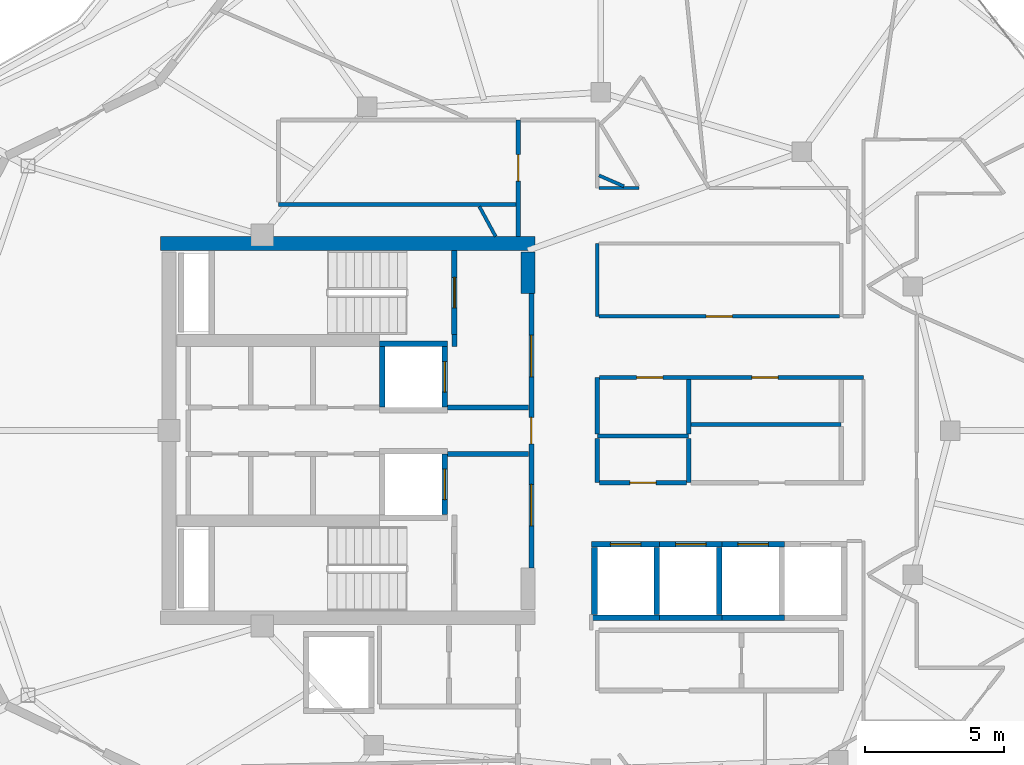
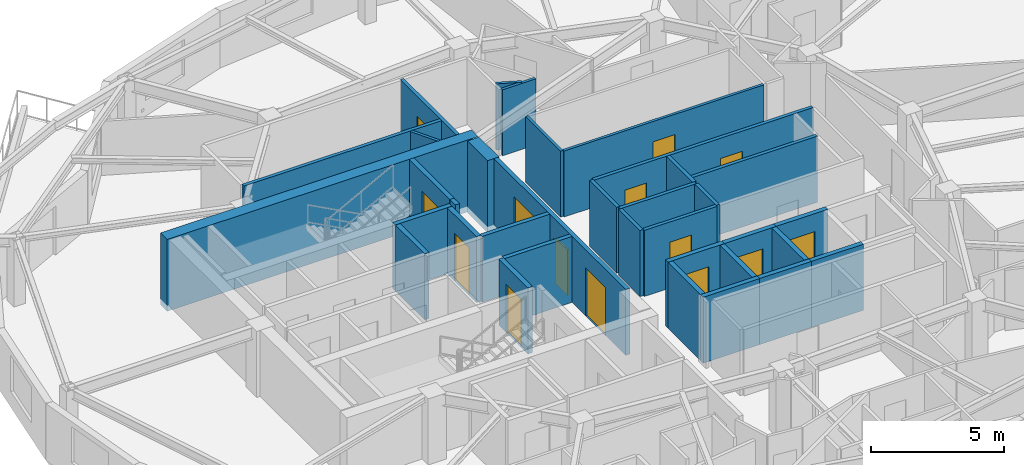
# One storey, part 8 of 14: 35 walls, 14 doors, 14 openings.
"""IFC4 building model written with IfcOpenShell, lengths in metres."""

from ifc_helpers import new_model, si_unit, direction, frame, frame_2d, origin, place, context, subcontext, project, spatial, rectangle, extrude, material, layer, layer_set, type_object, element, fill, save


model = new_model("IFC4")

# Units and contexts
model_context = context("Model", 3, precision=1e-05, world=origin(), true_north=direction((0.0, 1.0)))
body_context = subcontext(model_context, "Body", "Model", "MODEL_VIEW")
ifc_project = project(units=[si_unit("LENGTHUNIT", "METRE"), si_unit("AREAUNIT", "SQUARE_METRE"), si_unit("VOLUMEUNIT", "CUBIC_METRE"), si_unit("PLANEANGLEUNIT", "RADIAN"), si_unit("MASSUNIT", "GRAM", prefix="KILO")], contexts=[model_context])

# Site, building, storey
site_placement = place(None, origin())
site = spatial("IfcSite", under=ifc_project, at=site_placement, CompositionType="ELEMENT")
building_placement = place(site_placement, origin())
building = spatial("IfcBuilding", under=site, at=building_placement, Name="Kolvaren Gate Tower and Convention Centre", CompositionType="ELEMENT")
storey_placement = place(building_placement, frame((0.0, 0.0, 232.699951171875)))
storey = spatial("IfcBuildingStorey", under=building, at=storey_placement, Name="L62", CompositionType="ELEMENT", Elevation=232.699951171875)

# Wall
ifc_material_1 = material(Name="Autoclaved Aerated Masonry Blockwork Class 4 (4.0 MPa)", Category="masonry")
ifc_layer_1 = layer(ifc_material_1, 0.179931640625)
ifc_layer_set_1 = layer_set([ifc_layer_1], Name="Autoclaved Aerated Masonry Blockwork Class 4 (4.0 MPa)")
wall_type_1 = type_object("IfcWallType", Name="ARCH-WL-COMP-180", PredefinedType="SOLIDWALL", material=ifc_layer_set_1)
wall_1_placement = place(storey_placement, frame((24.85009765625, 30.0400390625, 0.0), z_axis=(0.0, 0.0, 1.0), x_axis=(0.0, 1.0, 0.0)))
element("IfcWall", 1, at=wall_1_placement, inside=storey, type_object=wall_type_1, Name="Interior Partition WL-L62-INT-002", PredefinedType="SOLIDWALL", context=body_context, shape_type="SweptSolid", body=[
    extrude(rectangle(XDim=0.419921875, YDim=0.179931640625, at=frame_2d((0.2099609375, 0.0))), origin(), (0.0, 0.0, 1.0), 3.030029296875),
])

# Wall, openings, doors
wall_2_placement = place(storey_placement, frame((27.6201171875, 22.050048828125, 0.0), z_axis=(0.0, 0.0, 1.0), x_axis=(0.0, 1.0, 0.0)))
wall_2 = element("IfcWall", 2, at=wall_2_placement, inside=storey, type_object=wall_type_1, Name="Interior Partition WL-L62-INT-003", PredefinedType="SOLIDWALL", context=body_context, shape_type="SweptSolid", body=[
    extrude(rectangle(XDim=9.89990234375, YDim=0.179931640625, at=frame_2d((4.949951171875, 0.0))), origin(), (0.0, 0.0, 1.0), 3.030029296875),
])
opening_1_placement = place(wall_2_placement, frame((4.47509765625, 0.0, 0.0)))
opening_1 = element("IfcOpeningElement", 3, at=opening_1_placement, cuts=wall_2, Name="Opening DR-01", PredefinedType="OPENING", context=body_context, shape_type="SweptSolid", body=[
    extrude(rectangle(XDim=0.949951171875, YDim=2.10009765625, at=frame_2d((0.47509765625, 1.050048828125))), frame((0.0, 0.099853515625, 0.0), z_axis=(0.0, -1.0, 0.0), x_axis=(1.0, 0.0, 0.0)), (0.0, 0.0, 1.0), 0.199951171875),
])
opening_2_placement = place(wall_2_placement, frame((6.889892578125, 0.0, 0.0)))
opening_2 = element("IfcOpeningElement", 4, at=opening_2_placement, cuts=wall_2, Name="Opening DL-01", PredefinedType="OPENING", context=body_context, shape_type="SweptSolid", body=[
    extrude(rectangle(XDim=1.5, YDim=2.199951171875, at=frame_2d((0.75, 1.10009765625))), frame((0.0, 0.099853515625, 0.0), z_axis=(0.0, -1.0, 0.0), x_axis=(1.0, 0.0, 0.0)), (0.0, 0.0, 1.0), 0.199951171875),
])
opening_3_placement = place(wall_2_placement, frame((1.510009765625, 0.0, 0.0)))
opening_3 = element("IfcOpeningElement", 5, at=opening_3_placement, cuts=wall_2, Name="Opening DL-01", PredefinedType="OPENING", context=body_context, shape_type="SweptSolid", body=[
    extrude(rectangle(XDim=1.5, YDim=2.199951171875, at=frame_2d((0.75, 1.10009765625))), frame((0.0, 0.099853515625, 0.0), z_axis=(0.0, -1.0, 0.0), x_axis=(1.0, 0.0, 0.0)), (0.0, 0.0, 1.0), 0.199951171875),
])
ifc_material_2 = material(Name="Painted Architectural Steelwork ASTM A500 Grade C 345 MPa", Category="steel")
door_type_1 = type_object("IfcDoorType", Name="ARCH-DR-LOBBY-1500", OperationType="DOUBLE_DOOR_SINGLE_SWING", PredefinedType="DOOR", material=ifc_material_2)
door_1_placement = place(opening_2_placement, origin())
door_1 = element("IfcDoor", 6, at=door_1_placement, inside=storey, type_object=door_type_1, Name="North Firefighting Stair and Lift Lobby Door", OperationType="DOUBLE_DOOR_SINGLE_SWING", OverallHeight=2.199951171875, OverallWidth=1.5, PredefinedType="DOOR", context=body_context, shape_type="SweptSolid", body=[
    extrude(rectangle(XDim=1.5, YDim=2.199951171875, at=frame_2d((0.75, 1.10009765625))), frame((0.0, 0.02490234375, 0.0), z_axis=(0.0, -1.0, 0.0), x_axis=(1.0, 0.0, 0.0)), (0.0, 0.0, 1.0), 0.050048828125),
])
fill(opening_2, door_1)
door_2_placement = place(opening_3_placement, origin())
door_2 = element("IfcDoor", 7, at=door_2_placement, inside=storey, type_object=door_type_1, Name="South Firefighting Stair and Lift Lobby Door", OperationType="DOUBLE_DOOR_SINGLE_SWING", OverallHeight=2.199951171875, OverallWidth=1.5, PredefinedType="DOOR", context=body_context, shape_type="SweptSolid", body=[
    extrude(rectangle(XDim=1.5, YDim=2.199951171875, at=frame_2d((0.75, 1.10009765625))), frame((0.0, 0.02490234375, 0.0), z_axis=(0.0, -1.0, 0.0), x_axis=(1.0, 0.0, 0.0)), (0.0, 0.0, 1.0), 0.050048828125),
])
fill(opening_3, door_2)
door_type_2 = type_object("IfcDoorType", Name="ARCH-DR-RISER-950", OperationType="SINGLE_SWING_RIGHT", PredefinedType="DOOR", material=ifc_material_2)
door_3_placement = place(opening_1_placement, origin())
door_3 = element("IfcDoor", 8, at=door_3_placement, inside=storey, type_object=door_type_2, Name="Central MEP Service Corridor Door", OperationType="SINGLE_SWING_LEFT", OverallHeight=2.10009765625, OverallWidth=0.949951171875, PredefinedType="DOOR", context=body_context, shape_type="SweptSolid", body=[
    extrude(rectangle(XDim=0.949951171875, YDim=2.10009765625, at=frame_2d((0.47509765625, 1.050048828125))), frame((0.0, 0.02490234375, 0.0), z_axis=(0.0, -1.0, 0.0), x_axis=(1.0, 0.0, 0.0)), (0.0, 0.0, 1.0), 0.050048828125),
])
fill(opening_1, door_3)

# Walls
for number, where, z_axis, x_axis, name in (
    (9, (24.60009765625, 27.840087890625, 0.0), (0.0, 0.0, 1.0), (1.0, 0.0, 0.0), "Interior Partition WL-L62-INT-004 (2)"),
    (10, (24.60009765625, 26.159912109375, 0.0), (0.0, 0.0, 1.0), (1.0, 0.0, 0.0), "Interior Partition WL-L62-INT-005 (2)"),
):
    element("IfcWall", number, at=place(storey_placement, frame(where, z_axis=z_axis, x_axis=x_axis)), inside=storey, type_object=wall_type_1, Name=name, PredefinedType="SOLIDWALL", context=body_context, shape_type="SweptSolid", body=[
        extrude(rectangle(XDim=2.927978515625, YDim=0.179931640625, at=frame_2d((1.4638671875, 0.0))), origin(), (0.0, 0.0, 1.0), 3.030029296875),
    ])
ifc_material_3 = material(Name="Fire-Rated Acoustic Gypsum Stud Partition", Category="gypsum")
ifc_layer_2 = layer(ifc_material_3, 0.1201171875)
ifc_layer_set_2 = layer_set([ifc_layer_2], Name="Fire-Rated Acoustic Gypsum Stud Partition")
wall_type_2 = type_object("IfcWallType", Name="ARCH-WL-PART-120", PredefinedType="PARTITIONING", material=ifc_layer_set_2)
wall_3_placement = place(storey_placement, frame((30.0, 31.1201171875, 0.0), z_axis=(0.0, 0.0, 1.0), x_axis=(0.0, 1.0, 0.0)))
element("IfcWall", 11, at=wall_3_placement, inside=storey, type_object=wall_type_2, Name="Interior Partition WL-L62-INT-019", PredefinedType="PARTITIONING", context=body_context, shape_type="SweptSolid", body=[
    extrude(rectangle(XDim=2.6298828125, YDim=0.1201171875, at=frame_2d((1.31494140625, 0.0))), origin(), (0.0, 0.0, 1.0), 3.030029296875),
])

# Wall, opening, door
wall_4_placement = place(storey_placement, frame((30.06201171875, 31.1201171875, 0.0), z_axis=(0.0, 0.0, 1.0), x_axis=(1.0, 0.0, 0.0)))
wall_4 = element("IfcWall", 12, at=wall_4_placement, inside=storey, type_object=wall_type_2, Name="Interior Partition WL-L62-INT-028", PredefinedType="PARTITIONING", context=body_context, shape_type="SweptSolid", body=[
    extrude(rectangle(XDim=8.676025390625, YDim=0.1201171875, at=frame_2d((4.337890625, 0.0))), origin(), (0.0, 0.0, 1.0), 3.030029296875),
])
opening_4_placement = place(wall_4_placement, frame((3.863037109375, 0.0, 0.0)))
opening_4 = element("IfcOpeningElement", 13, at=opening_4_placement, cuts=wall_4, Name="Opening DR-01", PredefinedType="OPENING", context=body_context, shape_type="SweptSolid", body=[
    extrude(rectangle(XDim=0.949951171875, YDim=2.10009765625, at=frame_2d((0.47509765625, 1.050048828125))), frame((0.0, 0.070068359375, 0.0), z_axis=(0.0, -1.0, 0.0), x_axis=(1.0, 0.0, 0.0)), (0.0, 0.0, 1.0), 0.14013671875),
])
door_4_placement = place(opening_4_placement, origin())
door_4 = element("IfcDoor", 14, at=door_4_placement, inside=storey, type_object=door_type_2, Name="Botanical Reading Clubroom Door", OperationType="SINGLE_SWING_LEFT", OverallHeight=2.10009765625, OverallWidth=0.949951171875, PredefinedType="DOOR", context=body_context, shape_type="SweptSolid", body=[
    extrude(rectangle(XDim=0.949951171875, YDim=2.10009765625, at=frame_2d((0.47509765625, 1.050048828125))), frame((0.0, 0.02490234375, 0.0), z_axis=(0.0, -1.0, 0.0), x_axis=(1.0, 0.0, 0.0)), (0.0, 0.0, 1.0), 0.050048828125),
])
fill(opening_4, door_4)

# Walls
wall_5_placement = place(storey_placement, frame((30.06201171875, 35.75, 0.0), z_axis=(0.0, 0.0, 1.0), x_axis=(1.0, 0.0, 0.0)))
element("IfcWall", 15, at=wall_5_placement, inside=storey, type_object=wall_type_2, Name="Interior Partition WL-L62-INT-036", PredefinedType="PARTITIONING", context=body_context, shape_type="SweptSolid", body=[
    extrude(rectangle(XDim=1.445068359375, YDim=0.1201171875, at=frame_2d((0.72265625, 0.0))), origin(), (0.0, 0.0, 1.0), 3.030029296875),
])
wall_6_placement = place(storey_placement, frame((30.06201171875, 36.2041015625, 0.0), z_axis=(0.0, 0.0, 1.0), x_axis=(0.916602414635, -0.39979996684, 0.0)))
element("IfcWall", 16, at=wall_6_placement, inside=storey, type_object=wall_type_2, Name="Interior Partition WL-L62-INT-096", PredefinedType="PARTITIONING", context=body_context, shape_type="SweptSolid", body=[
    extrude(rectangle(XDim=0.980712890625, YDim=0.1201171875, at=frame_2d((0.490234375, 0.0))), origin(), (0.0, 0.0, 1.0), 3.030029296875),
])
wall_7_placement = place(storey_placement, frame((25.748779296875, 35.0830078125, 0.0), z_axis=(0.0, 0.0, 1.0), x_axis=(0.476052805352, -0.879416696746, 0.0)))
element("IfcWall", 17, at=wall_7_placement, inside=storey, type_object=wall_type_2, Name="Interior Partition WL-L62-INT-102", PredefinedType="PARTITIONING", context=body_context, shape_type="SweptSolid", body=[
    extrude(rectangle(XDim=1.229248046875, YDim=0.1201171875, at=frame_2d((0.61474609375, 0.0))), origin(), (0.0, 0.0, 1.0), 3.030029296875),
])
ifc_layer_3 = layer(ifc_material_1, 0.199951171875)
ifc_layer_set_3 = layer_set([ifc_layer_3], Name="Autoclaved Aerated Masonry Blockwork Class 4 (4.0 MPa)")
wall_type_3 = type_object("IfcWallType", Name="ARCH-WL-SHAFT-200", PredefinedType="SOLIDWALL", material=ifc_layer_set_3)
wall_8_placement = place(storey_placement, frame((22.14990234375, 30.139892578125, 0.0), z_axis=(0.0, 0.0, 1.0), x_axis=(1.0, 0.0, 0.0)))
element("IfcWall", 18, at=wall_8_placement, inside=storey, type_object=wall_type_3, Name="Elevator FF-01 L62 Fire Shaft Wall N", PredefinedType="SOLIDWALL", context=body_context, shape_type="SweptSolid", body=[
    extrude(rectangle(XDim=2.4501953125, YDim=0.199951171875, at=frame_2d((1.22509765625, 0.0))), origin(), (0.0, 0.0, 1.0), 3.030029296875),
])
wall_9_placement = place(storey_placement, frame((22.25, 27.85009765625, 0.0), z_axis=(0.0, 0.0, 1.0), x_axis=(0.0, 1.0, 0.0)))
element("IfcWall", 19, at=wall_9_placement, inside=storey, type_object=wall_type_3, Name="Elevator FF-01 L62 Fire Shaft Wall W", PredefinedType="SOLIDWALL", context=body_context, shape_type="SweptSolid", body=[
    extrude(rectangle(XDim=2.179931640625, YDim=0.199951171875, at=frame_2d((1.08984375, 0.0))), origin(), (0.0, 0.0, 1.0), 3.030029296875),
])

# Wall, opening, door
wall_10_placement = place(storey_placement, frame((24.5, 27.85009765625, 0.0), z_axis=(0.0, 0.0, 1.0), x_axis=(0.0, 1.0, 0.0)))
wall_10 = element("IfcWall", 20, at=wall_10_placement, inside=storey, type_object=wall_type_3, Name="Elevator FF-01 L62 Fire Shaft Wall E", PredefinedType="SOLIDWALL", context=body_context, shape_type="SweptSolid", body=[
    extrude(rectangle(XDim=2.179931640625, YDim=0.199951171875, at=frame_2d((1.08984375, 0.0))), origin(), (0.0, 0.0, 1.0), 3.030029296875),
])
opening_5_placement = place(wall_10_placement, frame((0.5400390625, 0.0, 0.0)))
opening_5 = element("IfcOpeningElement", 21, at=opening_5_placement, cuts=wall_10, Name="Opening LD", PredefinedType="OPENING", context=body_context, shape_type="SweptSolid", body=[
    extrude(rectangle(XDim=1.10009765625, YDim=2.199951171875, at=frame_2d((0.550048828125, 1.10009765625))), frame((0.0, 0.10986328125, 0.0), z_axis=(0.0, -1.0, 0.0), x_axis=(1.0, 0.0, 0.0)), (0.0, 0.0, 1.0), 0.219970703125),
])
ifc_material_4 = material(Name="Brushed Stainless Steel Grade 316L", Category="steel")
door_type_3 = type_object("IfcDoorType", Name="ARCH-DR-LIFT-1100", OperationType="SLIDING_TO_LEFT", PredefinedType="DOOR", material=ifc_material_4)
door_5_placement = place(opening_5_placement, origin())
door_5 = element("IfcDoor", 22, at=door_5_placement, inside=storey, type_object=door_type_3, Name="Elevator FF-01 L62 Sliding Landing Door", OperationType="SLIDING_TO_LEFT", OverallHeight=2.199951171875, OverallWidth=1.10009765625, PredefinedType="DOOR", context=body_context, shape_type="SweptSolid", body=[
    extrude(rectangle(XDim=1.10009765625, YDim=2.199951171875, at=frame_2d((0.550048828125, 1.10009765625))), frame((0.0, 0.02490234375, 0.0), z_axis=(0.0, -1.0, 0.0), x_axis=(1.0, 0.0, 0.0)), (0.0, 0.0, 1.0), 0.050048828125),
])
fill(opening_5, door_5)

wall_11_placement = place(storey_placement, frame((24.5, 23.969970703125, 0.0), z_axis=(0.0, 0.0, 1.0), x_axis=(0.0, 1.0, 0.0)))
wall_11 = element("IfcWall", 23, at=wall_11_placement, inside=storey, type_object=wall_type_3, Name="Elevator FF-02 L62 Fire Shaft Wall E", PredefinedType="SOLIDWALL", context=body_context, shape_type="SweptSolid", body=[
    extrude(rectangle(XDim=2.179931640625, YDim=0.199951171875, at=frame_2d((1.08984375, 0.0))), origin(), (0.0, 0.0, 1.0), 3.030029296875),
])
opening_6_placement = place(wall_11_placement, frame((0.5400390625, 0.0, 0.0)))
opening_6 = element("IfcOpeningElement", 24, at=opening_6_placement, cuts=wall_11, Name="Opening LD", PredefinedType="OPENING", context=body_context, shape_type="SweptSolid", body=[
    extrude(rectangle(XDim=1.10009765625, YDim=2.199951171875, at=frame_2d((0.550048828125, 1.10009765625))), frame((0.0, 0.10986328125, 0.0), z_axis=(0.0, -1.0, 0.0), x_axis=(1.0, 0.0, 0.0)), (0.0, 0.0, 1.0), 0.219970703125),
])
door_6_placement = place(opening_6_placement, origin())
door_6 = element("IfcDoor", 25, at=door_6_placement, inside=storey, type_object=door_type_3, Name="Elevator FF-02 L62 Sliding Landing Door", OperationType="SLIDING_TO_LEFT", OverallHeight=2.199951171875, OverallWidth=1.10009765625, PredefinedType="DOOR", context=body_context, shape_type="SweptSolid", body=[
    extrude(rectangle(XDim=1.10009765625, YDim=2.199951171875, at=frame_2d((0.550048828125, 1.10009765625))), frame((0.0, 0.02490234375, 0.0), z_axis=(0.0, -1.0, 0.0), x_axis=(1.0, 0.0, 0.0)), (0.0, 0.0, 1.0), 0.050048828125),
])
fill(opening_6, door_6)

wall_12_placement = place(storey_placement, frame((29.800048828125, 22.89990234375, 0.0), z_axis=(0.0, 0.0, 1.0), x_axis=(1.0, 0.0, 0.0)))
wall_12 = element("IfcWall", 26, at=wall_12_placement, inside=storey, type_object=wall_type_3, Name="Elevator PL-09 L62 Fire Shaft Wall N", PredefinedType="SOLIDWALL", context=body_context, shape_type="SweptSolid", body=[
    extrude(rectangle(XDim=2.449951171875, YDim=0.199951171875, at=frame_2d((1.22509765625, 0.0))), origin(), (0.0, 0.0, 1.0), 3.030029296875),
])
opening_7_placement = place(wall_12_placement, frame((0.675048828125, 0.0, 0.0)))
opening_7 = element("IfcOpeningElement", 27, at=opening_7_placement, cuts=wall_12, Name="Opening LD", PredefinedType="OPENING", context=body_context, shape_type="SweptSolid", body=[
    extrude(rectangle(XDim=1.10009765625, YDim=2.199951171875, at=frame_2d((0.550048828125, 1.10009765625))), frame((0.0, 0.10986328125, 0.0), z_axis=(0.0, -1.0, 0.0), x_axis=(1.0, 0.0, 0.0)), (0.0, 0.0, 1.0), 0.219970703125),
])
door_7_placement = place(opening_7_placement, origin())
door_7 = element("IfcDoor", 28, at=door_7_placement, inside=storey, type_object=door_type_3, Name="Elevator PL-09 L62 Sliding Landing Door", OperationType="SLIDING_TO_LEFT", OverallHeight=2.199951171875, OverallWidth=1.10009765625, PredefinedType="DOOR", context=body_context, shape_type="SweptSolid", body=[
    extrude(rectangle(XDim=1.10009765625, YDim=2.199951171875, at=frame_2d((0.550048828125, 1.10009765625))), frame((0.0, 0.02490234375, 0.0), z_axis=(0.0, -1.0, 0.0), x_axis=(1.0, 0.0, 0.0)), (0.0, 0.0, 1.0), 0.050048828125),
])
fill(opening_7, door_7)

# Walls
wall_13_placement = place(storey_placement, frame((29.800048828125, 20.25, 0.0), z_axis=(0.0, 0.0, 1.0), x_axis=(1.0, 0.0, 0.0)))
element("IfcWall", 29, at=wall_13_placement, inside=storey, type_object=wall_type_3, Name="Elevator PL-09 L62 Fire Shaft Wall S", PredefinedType="SOLIDWALL", context=body_context, shape_type="SweptSolid", body=[
    extrude(rectangle(XDim=2.449951171875, YDim=0.199951171875, at=frame_2d((1.22509765625, 0.0))), origin(), (0.0, 0.0, 1.0), 3.030029296875),
])
for number, where, z_axis, x_axis, name in (
    (30, (29.89990234375, 20.360107421875, 0.0), (0.0, 0.0, 1.0), (0.0, 1.0, 0.0), "Elevator PL-09 L62 Fire Shaft Wall W"),
    (31, (32.14990234375, 20.360107421875, 0.0), (0.0, 0.0, 1.0), (0.0, 1.0, 0.0), "Elevator PL-09 L62 Fire Shaft Wall E"),
):
    element("IfcWall", number, at=place(storey_placement, frame(where, z_axis=z_axis, x_axis=x_axis)), inside=storey, type_object=wall_type_3, Name=name, PredefinedType="SOLIDWALL", context=body_context, shape_type="SweptSolid", body=[
        extrude(rectangle(XDim=2.429931640625, YDim=0.199951171875, at=frame_2d((1.21484375, 0.0))), origin(), (0.0, 0.0, 1.0), 3.030029296875),
    ])

# Wall, opening, door
wall_14_placement = place(storey_placement, frame((32.25, 22.89990234375, 0.0), z_axis=(0.0, 0.0, 1.0), x_axis=(1.0, 0.0, 0.0)))
wall_14 = element("IfcWall", 32, at=wall_14_placement, inside=storey, type_object=wall_type_3, Name="Elevator PL-10 L62 Fire Shaft Wall N", PredefinedType="SOLIDWALL", context=body_context, shape_type="SweptSolid", body=[
    extrude(rectangle(XDim=2.25, YDim=0.199951171875, at=frame_2d((1.125, 0.0))), origin(), (0.0, 0.0, 1.0), 3.030029296875),
])
opening_8_placement = place(wall_14_placement, frame((0.574951171875, 0.0, 0.0)))
opening_8 = element("IfcOpeningElement", 33, at=opening_8_placement, cuts=wall_14, Name="Opening LD", PredefinedType="OPENING", context=body_context, shape_type="SweptSolid", body=[
    extrude(rectangle(XDim=1.10009765625, YDim=2.199951171875, at=frame_2d((0.550048828125, 1.10009765625))), frame((0.0, 0.10986328125, 0.0), z_axis=(0.0, -1.0, 0.0), x_axis=(1.0, 0.0, 0.0)), (0.0, 0.0, 1.0), 0.219970703125),
])
door_8_placement = place(opening_8_placement, origin())
door_8 = element("IfcDoor", 34, at=door_8_placement, inside=storey, type_object=door_type_3, Name="Elevator PL-10 L62 Sliding Landing Door", OperationType="SLIDING_TO_LEFT", OverallHeight=2.199951171875, OverallWidth=1.10009765625, PredefinedType="DOOR", context=body_context, shape_type="SweptSolid", body=[
    extrude(rectangle(XDim=1.10009765625, YDim=2.199951171875, at=frame_2d((0.550048828125, 1.10009765625))), frame((0.0, 0.02490234375, 0.0), z_axis=(0.0, -1.0, 0.0), x_axis=(1.0, 0.0, 0.0)), (0.0, 0.0, 1.0), 0.050048828125),
])
fill(opening_8, door_8)

# Walls
wall_15_placement = place(storey_placement, frame((32.25, 20.25, 0.0), z_axis=(0.0, 0.0, 1.0), x_axis=(1.0, 0.0, 0.0)))
element("IfcWall", 35, at=wall_15_placement, inside=storey, type_object=wall_type_3, Name="Elevator PL-10 L62 Fire Shaft Wall S", PredefinedType="SOLIDWALL", context=body_context, shape_type="SweptSolid", body=[
    extrude(rectangle(XDim=2.25, YDim=0.199951171875, at=frame_2d((1.125, 0.0))), origin(), (0.0, 0.0, 1.0), 3.030029296875),
])
wall_16_placement = place(storey_placement, frame((34.39990234375, 20.360107421875, 0.0), z_axis=(0.0, 0.0, 1.0), x_axis=(0.0, 1.0, 0.0)))
element("IfcWall", 36, at=wall_16_placement, inside=storey, type_object=wall_type_3, Name="Elevator PL-10 L62 Fire Shaft Wall E", PredefinedType="SOLIDWALL", context=body_context, shape_type="SweptSolid", body=[
    extrude(rectangle(XDim=2.429931640625, YDim=0.199951171875, at=frame_2d((1.21484375, 0.0))), origin(), (0.0, 0.0, 1.0), 3.030029296875),
])

# Wall, opening, door
wall_17_placement = place(storey_placement, frame((34.5, 22.89990234375, 0.0), z_axis=(0.0, 0.0, 1.0), x_axis=(1.0, 0.0, 0.0)))
wall_17 = element("IfcWall", 37, at=wall_17_placement, inside=storey, type_object=wall_type_3, Name="Elevator PL-11 L62 Fire Shaft Wall N", PredefinedType="SOLIDWALL", context=body_context, shape_type="SweptSolid", body=[
    extrude(rectangle(XDim=2.25, YDim=0.199951171875, at=frame_2d((1.125, 0.0))), origin(), (0.0, 0.0, 1.0), 3.030029296875),
])
opening_9_placement = place(wall_17_placement, frame((0.574951171875, 0.0, 0.0)))
opening_9 = element("IfcOpeningElement", 38, at=opening_9_placement, cuts=wall_17, Name="Opening LD", PredefinedType="OPENING", context=body_context, shape_type="SweptSolid", body=[
    extrude(rectangle(XDim=1.10009765625, YDim=2.199951171875, at=frame_2d((0.550048828125, 1.10009765625))), frame((0.0, 0.10986328125, 0.0), z_axis=(0.0, -1.0, 0.0), x_axis=(1.0, 0.0, 0.0)), (0.0, 0.0, 1.0), 0.219970703125),
])
door_9_placement = place(opening_9_placement, origin())
door_9 = element("IfcDoor", 39, at=door_9_placement, inside=storey, type_object=door_type_3, Name="Elevator PL-11 L62 Sliding Landing Door", OperationType="SLIDING_TO_LEFT", OverallHeight=2.199951171875, OverallWidth=1.10009765625, PredefinedType="DOOR", context=body_context, shape_type="SweptSolid", body=[
    extrude(rectangle(XDim=1.10009765625, YDim=2.199951171875, at=frame_2d((0.550048828125, 1.10009765625))), frame((0.0, 0.02490234375, 0.0), z_axis=(0.0, -1.0, 0.0), x_axis=(1.0, 0.0, 0.0)), (0.0, 0.0, 1.0), 0.050048828125),
])
fill(opening_9, door_9)

# Wall
wall_18_placement = place(storey_placement, frame((34.5, 20.25, 0.0), z_axis=(0.0, 0.0, 1.0), x_axis=(1.0, 0.0, 0.0)))
element("IfcWall", 40, at=wall_18_placement, inside=storey, type_object=wall_type_3, Name="Elevator PL-11 L62 Fire Shaft Wall S", PredefinedType="SOLIDWALL", context=body_context, shape_type="SweptSolid", body=[
    extrude(rectangle(XDim=2.25, YDim=0.199951171875, at=frame_2d((1.125, 0.0))), origin(), (0.0, 0.0, 1.0), 3.030029296875),
])

# Wall, opening, door
ifc_material_5 = material(Name="Moisture-Resistant Cement-Board Acoustic Partition", Category="gypsum")
ifc_layer_4 = layer(ifc_material_5, 0.14990234375)
ifc_layer_set_4 = layer_set([ifc_layer_4], Name="Moisture-Resistant Cement-Board Acoustic Partition")
wall_type_4 = type_object("IfcWallType", Name="ARCH-WL-WET-150", PredefinedType="PARTITIONING", material=ifc_layer_set_4)
wall_19_placement = place(storey_placement, frame((27.14990234375, 34.001953125, 0.0), z_axis=(0.0, 0.0, 1.0), x_axis=(0.0, 1.0, 0.0)))
wall_19 = element("IfcWall", 41, at=wall_19_placement, inside=storey, type_object=wall_type_4, Name="Interior Partition WL-L62-INT-015", PredefinedType="PARTITIONING", context=body_context, shape_type="SweptSolid", body=[
    extrude(rectangle(XDim=4.197998046875, YDim=0.14990234375, at=frame_2d((2.09912109375, 0.0))), origin(), (0.0, 0.0, 1.0), 3.030029296875),
])
opening_10_placement = place(wall_19_placement, frame((1.998046875, 0.0, 0.0)))
opening_10 = element("IfcOpeningElement", 42, at=opening_10_placement, cuts=wall_19, Name="Opening DR-01", PredefinedType="OPENING", context=body_context, shape_type="SweptSolid", body=[
    extrude(rectangle(XDim=0.949951171875, YDim=2.10009765625, at=frame_2d((0.47509765625, 1.050048828125))), frame((0.0, 0.0849609375, 0.0), z_axis=(0.0, -1.0, 0.0), x_axis=(1.0, 0.0, 0.0)), (0.0, 0.0, 1.0), 0.169921875),
])
door_10_placement = place(opening_10_placement, origin())
door_10 = element("IfcDoor", 43, at=door_10_placement, inside=storey, type_object=door_type_2, Name="Reclaimed North Resident Store Door", OperationType="SINGLE_SWING_LEFT", OverallHeight=2.10009765625, OverallWidth=0.949951171875, PredefinedType="DOOR", context=body_context, shape_type="SweptSolid", body=[
    extrude(rectangle(XDim=0.949951171875, YDim=2.10009765625, at=frame_2d((0.47509765625, 1.050048828125))), frame((0.0, 0.02490234375, 0.0), z_axis=(0.0, -1.0, 0.0), x_axis=(1.0, 0.0, 0.0)), (0.0, 0.0, 1.0), 0.050048828125),
])
fill(opening_10, door_10)

# Walls
wall_20_placement = place(storey_placement, frame((30.0, 26.800048828125, 0.0), z_axis=(0.0, 0.0, 1.0), x_axis=(1.0, 0.0, 0.0)))
element("IfcWall", 44, at=wall_20_placement, inside=storey, type_object=wall_type_4, Name="Interior Partition WL-L62-INT-016", PredefinedType="PARTITIONING", context=body_context, shape_type="SweptSolid", body=[
    extrude(rectangle(XDim=3.300048828125, YDim=0.14990234375, at=frame_2d((1.64990234375, 0.0))), origin(), (0.0, 0.0, 1.0), 3.030029296875),
])
wall_21_placement = place(storey_placement, frame((30.0, 25.1201171875, 0.0), z_axis=(0.0, 0.0, 1.0), x_axis=(0.0, 1.0, 0.0)))
element("IfcWall", 45, at=wall_21_placement, inside=storey, type_object=wall_type_4, Name="Interior Partition WL-L62-INT-018", PredefinedType="PARTITIONING", context=body_context, shape_type="SweptSolid", body=[
    extrude(rectangle(XDim=1.602783203125, YDim=0.14990234375, at=frame_2d((0.80126953125, 0.0))), origin(), (0.0, 0.0, 1.0), 3.030029296875),
])
wall_22_placement = place(storey_placement, frame((30.0, 26.876953125, 0.0), z_axis=(0.0, 0.0, 1.0), x_axis=(0.0, 1.0, 0.0)))
element("IfcWall", 46, at=wall_22_placement, inside=storey, type_object=wall_type_4, Name="Interior Partition WL-L62-INT-018 (2)", PredefinedType="PARTITIONING", context=body_context, shape_type="SweptSolid", body=[
    extrude(rectangle(XDim=2.04296875, YDim=0.14990234375, at=frame_2d((1.021484375, 0.0))), origin(), (0.0, 0.0, 1.0), 3.030029296875),
])

# Wall, openings, doors
wall_23_placement = place(storey_placement, frame((30.076904296875, 28.919921875, 0.0), z_axis=(0.0, 0.0, 1.0), x_axis=(1.0, 0.0, 0.0)))
wall_23 = element("IfcWall", 47, at=wall_23_placement, inside=storey, type_object=wall_type_4, Name="Interior Partition WL-L62-INT-021", PredefinedType="PARTITIONING", context=body_context, shape_type="SweptSolid", body=[
    extrude(rectangle(XDim=9.523193359375, YDim=0.14990234375, at=frame_2d((4.76171875, 0.0))), origin(), (0.0, 0.0, 1.0), 3.030029296875),
])
opening_11_placement = place(wall_23_placement, frame((1.341552734375, 0.0, 0.0)))
opening_11 = element("IfcOpeningElement", 48, at=opening_11_placement, cuts=wall_23, Name="Opening DR-01", PredefinedType="OPENING", context=body_context, shape_type="SweptSolid", body=[
    extrude(rectangle(XDim=0.949951171875, YDim=2.10009765625, at=frame_2d((0.47509765625, 1.050048828125))), frame((0.0, 0.0849609375, 0.0), z_axis=(0.0, -1.0, 0.0), x_axis=(1.0, 0.0, 0.0)), (0.0, 0.0, 1.0), 0.169921875),
])
opening_12_placement = place(wall_23_placement, frame((5.498046875, 0.0, 0.0)))
opening_12 = element("IfcOpeningElement", 49, at=opening_12_placement, cuts=wall_23, Name="Opening DR-01", PredefinedType="OPENING", context=body_context, shape_type="SweptSolid", body=[
    extrude(rectangle(XDim=0.949951171875, YDim=2.10009765625, at=frame_2d((0.47509765625, 1.050048828125))), frame((0.0, 0.0849609375, 0.0), z_axis=(0.0, -1.0, 0.0), x_axis=(1.0, 0.0, 0.0)), (0.0, 0.0, 1.0), 0.169921875),
])
door_11_placement = place(opening_11_placement, origin())
door_11 = element("IfcDoor", 50, at=door_11_placement, inside=storey, type_object=door_type_2, Name="Accessible North Washroom Door", OperationType="SINGLE_SWING_LEFT", OverallHeight=2.10009765625, OverallWidth=0.949951171875, PredefinedType="DOOR", context=body_context, shape_type="SweptSolid", body=[
    extrude(rectangle(XDim=0.949951171875, YDim=2.10009765625, at=frame_2d((0.47509765625, 1.050048828125))), frame((0.0, 0.02490234375, 0.0), z_axis=(0.0, -1.0, 0.0), x_axis=(1.0, 0.0, 0.0)), (0.0, 0.0, 1.0), 0.050048828125),
])
fill(opening_11, door_11)
door_12_placement = place(opening_12_placement, origin())
door_12 = element("IfcDoor", 51, at=door_12_placement, inside=storey, type_object=door_type_2, Name="Floor Janitor and Supply Store Door", OperationType="SINGLE_SWING_LEFT", OverallHeight=2.10009765625, OverallWidth=0.949951171875, PredefinedType="DOOR", context=body_context, shape_type="SweptSolid", body=[
    extrude(rectangle(XDim=0.949951171875, YDim=2.10009765625, at=frame_2d((0.47509765625, 1.050048828125))), frame((0.0, 0.02490234375, 0.0), z_axis=(0.0, -1.0, 0.0), x_axis=(1.0, 0.0, 0.0)), (0.0, 0.0, 1.0), 0.050048828125),
])
fill(opening_12, door_12)

# Walls
wall_24_placement = place(storey_placement, frame((33.300048828125, 25.1201171875, 0.0), z_axis=(0.0, 0.0, 1.0), x_axis=(0.0, 1.0, 0.0)))
element("IfcWall", 52, at=wall_24_placement, inside=storey, type_object=wall_type_4, Name="Interior Partition WL-L62-INT-022", PredefinedType="PARTITIONING", context=body_context, shape_type="SweptSolid", body=[
    extrude(rectangle(XDim=1.602783203125, YDim=0.14990234375, at=frame_2d((0.80126953125, 0.0))), origin(), (0.0, 0.0, 1.0), 3.030029296875),
])
wall_25_placement = place(storey_placement, frame((33.300048828125, 26.876953125, 0.0), z_axis=(0.0, 0.0, 1.0), x_axis=(0.0, 1.0, 0.0)))
element("IfcWall", 53, at=wall_25_placement, inside=storey, type_object=wall_type_4, Name="Interior Partition WL-L62-INT-022 (2)", PredefinedType="PARTITIONING", context=body_context, shape_type="SweptSolid", body=[
    extrude(rectangle(XDim=1.966064453125, YDim=0.14990234375, at=frame_2d((0.98291015625, 0.0))), origin(), (0.0, 0.0, 1.0), 3.030029296875),
])

# Wall, opening, door
wall_26_placement = place(storey_placement, frame((30.076904296875, 25.1201171875, 0.0), z_axis=(0.0, 0.0, 1.0), x_axis=(1.0, 0.0, 0.0)))
wall_26 = element("IfcWall", 54, at=wall_26_placement, inside=storey, type_object=wall_type_4, Name="Interior Partition WL-L62-INT-023", PredefinedType="PARTITIONING", context=body_context, shape_type="SweptSolid", body=[
    extrude(rectangle(XDim=3.14599609375, YDim=0.14990234375, at=frame_2d((1.572998046875, 0.0))), origin(), (0.0, 0.0, 1.0), 3.030029296875),
])
opening_13_placement = place(wall_26_placement, frame((1.097900390625, 0.0, 0.0)))
opening_13 = element("IfcOpeningElement", 55, at=opening_13_placement, cuts=wall_26, Name="Opening DR-01", PredefinedType="OPENING", context=body_context, shape_type="SweptSolid", body=[
    extrude(rectangle(XDim=0.949951171875, YDim=2.10009765625, at=frame_2d((0.47509765625, 1.050048828125))), frame((0.0, 0.0849609375, 0.0), z_axis=(0.0, -1.0, 0.0), x_axis=(1.0, 0.0, 0.0)), (0.0, 0.0, 1.0), 0.169921875),
])
door_13_placement = place(opening_13_placement, origin())
door_13 = element("IfcDoor", 56, at=door_13_placement, inside=storey, type_object=door_type_2, Name="South Visitor Washroom Door", OperationType="SINGLE_SWING_RIGHT", OverallHeight=2.10009765625, OverallWidth=0.949951171875, PredefinedType="DOOR", context=body_context, shape_type="SweptSolid", body=[
    extrude(rectangle(XDim=0.949951171875, YDim=2.10009765625, at=frame_2d((0.47509765625, 1.050048828125))), frame((0.0, 0.02490234375, 0.0), z_axis=(0.0, -1.0, 0.0), x_axis=(1.0, 0.0, 0.0)), (0.0, 0.0, 1.0), 0.050048828125),
])
fill(opening_13, door_13)

# Walls
wall_27_placement = place(storey_placement, frame((33.376953125, 27.219970703125, 0.0), z_axis=(0.0, 0.0, 1.0), x_axis=(1.0, 0.0, 0.0)))
element("IfcWall", 57, at=wall_27_placement, inside=storey, type_object=wall_type_4, Name="Interior Partition WL-L62-INT-024", PredefinedType="PARTITIONING", context=body_context, shape_type="SweptSolid", body=[
    extrude(rectangle(XDim=5.423095703125, YDim=0.14990234375, at=frame_2d((2.71142578125, 0.0))), origin(), (0.0, 0.0, 1.0), 3.030029296875),
])
wall_28_placement = place(storey_placement, frame((18.5, 35.159912109375, 0.0), z_axis=(0.0, 0.0, 1.0), x_axis=(1.0, 0.0, 0.0)))
element("IfcWall", 58, at=wall_28_placement, inside=storey, type_object=wall_type_4, Name="Interior Partition WL-L62-INT-033", PredefinedType="PARTITIONING", context=body_context, shape_type="SweptSolid", body=[
    extrude(rectangle(XDim=8.572998046875, YDim=0.14990234375, at=frame_2d((4.28662109375, 0.0))), origin(), (0.0, 0.0, 1.0), 3.030029296875),
])
ifc_material_6 = material(Name="Concrete C50/60", Category="concrete")
ifc_layer_5 = layer(ifc_material_6, 0.5)
ifc_layer_set_5 = layer_set([ifc_layer_5], Name="Concrete C50/60")
wall_type_5 = type_object("IfcWallType", Name="STR-WL-CORE-500", PredefinedType="SHEAR", material=ifc_layer_set_5)
wall_29_placement = place(storey_placement, frame((14.25, 33.75, -0.27001953125), z_axis=(0.0, 0.0, 1.0), x_axis=(1.0, 0.0, 0.0)))
element("IfcWall", 59, at=wall_29_placement, inside=storey, type_object=wall_type_5, Name="Tower L62 Offset Core Shear Wall N", PredefinedType="SHEAR", context=body_context, shape_type="SweptSolid", body=[
    extrude(rectangle(XDim=13.5, YDim=0.5, at=frame_2d((6.75, 0.0))), origin(), (0.0, 0.0, 1.0), 3.300048828125),
])
wall_30_placement = place(storey_placement, frame((27.5, 31.949951171875, -0.27001953125), z_axis=(0.0, 0.0, 1.0), x_axis=(0.0, 1.0, 0.0)))
element("IfcWall", 60, at=wall_30_placement, inside=storey, type_object=wall_type_5, Name="Tower L62 Offset Core Shear Wall EN", PredefinedType="SHEAR", context=body_context, shape_type="SweptSolid", body=[
    extrude(rectangle(XDim=1.5, YDim=0.5, at=frame_2d((0.75, 0.0))), origin(), (0.0, 0.0, 1.0), 3.300048828125),
])

# Wall, opening, door
ifc_layer_6 = layer(ifc_material_6, 0.199951171875)
ifc_layer_set_6 = layer_set([ifc_layer_6], Name="Concrete C50/60")
wall_type_6 = type_object("IfcWallType", Name="STR-WL-SHAFT-200", PredefinedType="SHEAR", material=ifc_layer_set_6)
wall_31_placement = place(storey_placement, frame((24.85009765625, 30.4599609375, -0.27001953125), z_axis=(0.0, 0.0, 1.0), x_axis=(0.0, 1.0, 0.0)))
wall_31 = element("IfcWall", 61, at=wall_31_placement, inside=storey, type_object=wall_type_6, Name="Tower North Exit Stair ST-T1 L62 Structural Shear Enclosure Wall NEAR", PredefinedType="SHEAR", context=body_context, shape_type="SweptSolid", body=[
    extrude(rectangle(XDim=3.0380859375, YDim=0.199951171875, at=frame_2d((1.51904296875, 0.0))), origin(), (0.0, 0.0, 1.0), 3.300048828125),
])
opening_14_placement = place(wall_31_placement, frame((0.968994140625, 0.0, 0.27001953125)))
opening_14 = element("IfcOpeningElement", 62, at=opening_14_placement, cuts=wall_31, Name="Opening DS-01", PredefinedType="OPENING", context=body_context, shape_type="SweptSolid", body=[
    extrude(rectangle(XDim=1.10009765625, YDim=2.14990234375, at=frame_2d((0.550048828125, 1.074951171875))), frame((0.0, 0.10986328125, 0.0), z_axis=(0.0, -1.0, 0.0), x_axis=(1.0, 0.0, 0.0)), (0.0, 0.0, 1.0), 0.219970703125),
])
door_type_4 = type_object("IfcDoorType", Name="ARCH-DR-STAIR-1100", OperationType="SINGLE_SWING_LEFT", PredefinedType="DOOR", material=ifc_material_2)
door_14_placement = place(opening_14_placement, origin())
door_14 = element("IfcDoor", 63, at=door_14_placement, inside=storey, type_object=door_type_4, Name="Tower North Exit Stair ST-T1 L62 Fire Exit Stair Door", OperationType="SINGLE_SWING_RIGHT", OverallHeight=2.14990234375, OverallWidth=1.10009765625, PredefinedType="DOOR", context=body_context, shape_type="SweptSolid", body=[
    extrude(rectangle(XDim=1.10009765625, YDim=2.14990234375, at=frame_2d((0.550048828125, 1.074951171875))), frame((0.0, 0.02490234375, 0.0), z_axis=(0.0, -1.0, 0.0), x_axis=(1.0, 0.0, 0.0)), (0.0, 0.0, 1.0), 0.050048828125),
])
fill(opening_14, door_14)

save(model, "model.ifc")
